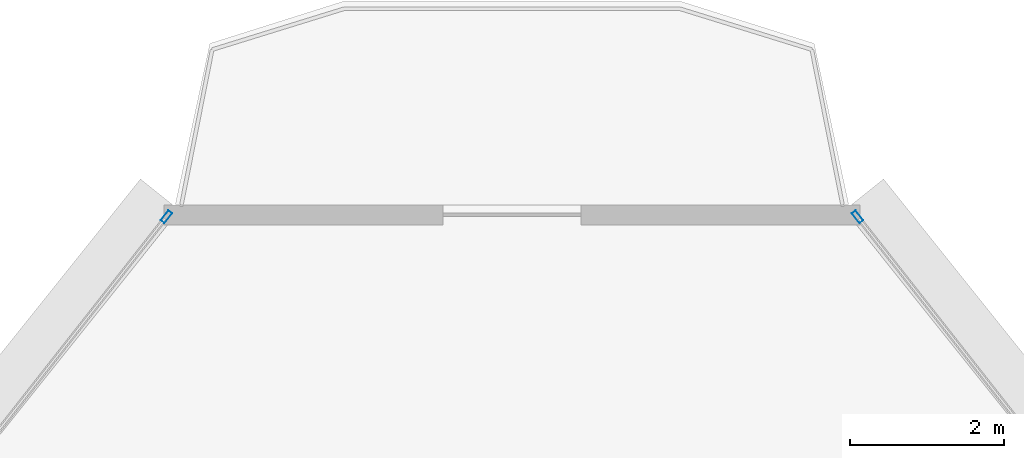
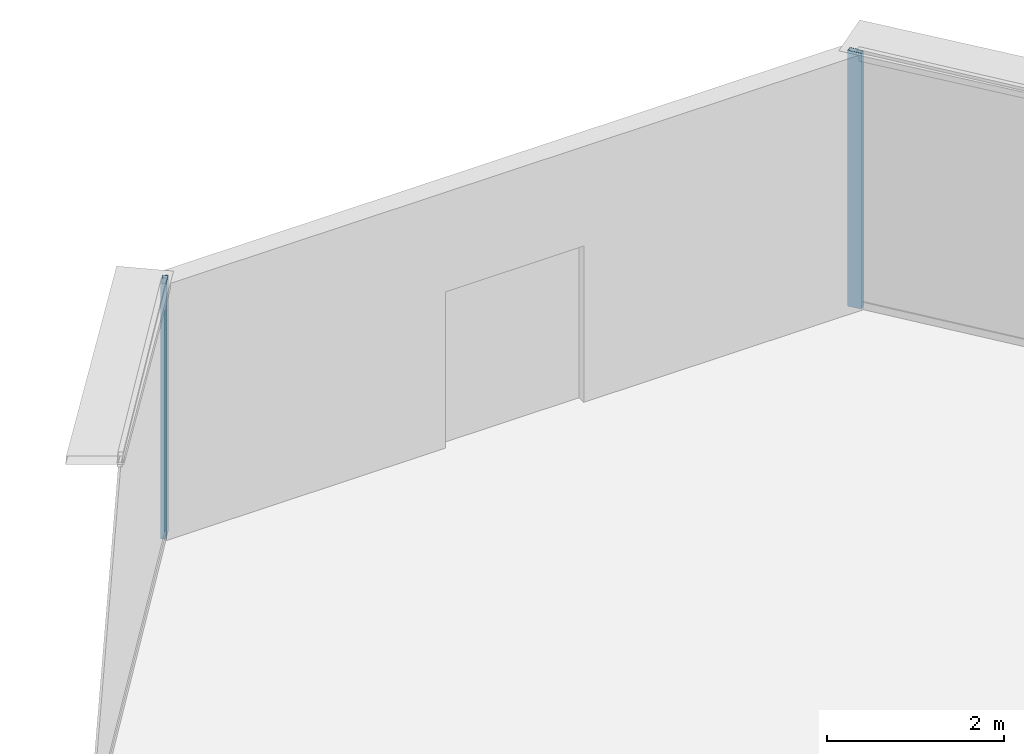
# One storey, part 28 of 41: 2 members, 2 elements without a shape of their own.
"""IFC4 building model written with IfcOpenShell, lengths in metres."""

import ifcopenshell
import ifcopenshell.guid

model = None  # the IFC model being written
_history = None  # IfcOwnerHistory: only IFC2X3 demands one
_inside = {}  # id of a spatial element -> (the spatial element, [elements in it])
_under = {}  # id of a project, library or spatial element -> (it, [spatial elements below it])
_declared = {}  # id of a project -> (the project, [libraries it declares])
_typed = {}  # id of a type object -> (the type object, [elements of that type])
_made_of = {}  # id of a material, layer set ... -> (it, [elements and type objects made of it])


def new_model(schema):
    """Start an empty IFC model of exactly this schema.

    Asked for "IFC4X3", IfcOpenShell would pick the latest addendum, in which some entities
    have other attributes; the version numbers below select the first issue.
    IFC2X3 requires an IfcOwnerHistory on every rooted entity: one is made here for all.
    """
    global model, _history
    if schema == "IFC4X3":
        model = ifcopenshell.file(schema_version=(4, 3, 0, 0))
    else:
        model = ifcopenshell.file(schema=schema)
    _inside.clear()
    _under.clear()
    _declared.clear()
    _typed.clear()
    _made_of.clear()
    _history = None
    if model.schema == "IFC2X3":
        org = make("IfcOrganization", Name="unknown")
        user = make(
            "IfcPersonAndOrganization",
            ThePerson=make("IfcPerson", FamilyName="unknown"),
            TheOrganization=org,
        )
        app = make(
            "IfcApplication",
            ApplicationDeveloper=org,
            Version="unknown",
            ApplicationFullName="unknown",
            ApplicationIdentifier="unknown",
        )
        _history = make(
            "IfcOwnerHistory",
            OwningUser=user,
            OwningApplication=app,
            ChangeAction="ADDED",
            CreationDate=0,
        )
    return model


def make(cls, **values):
    """One entity of the class cls with the attributes given. An attribute that is None is left unset."""
    return model.create_entity(
        cls, **{name: value for name, value in values.items() if value is not None}
    )


def rooted(cls, **values):
    """An entity with a GlobalId (a new one), such as an element, a storey or a relation."""
    return make(cls, GlobalId=ifcopenshell.guid.new(), OwnerHistory=_history, **values)


def si_unit(unit_type, name, prefix=None):
    """IfcSIUnit, for example si_unit("LENGTHUNIT", "METRE", prefix="MILLI")."""
    return make("IfcSIUnit", UnitType=unit_type, Prefix=prefix, Name=name)


def assignment(units):
    """IfcUnitAssignment: the units of a project."""
    return None if units is None else make("IfcUnitAssignment", Units=units)


def point(xyz):
    """IfcCartesianPoint."""
    return None if xyz is None else make("IfcCartesianPoint", Coordinates=xyz)


def direction(xyz):
    """IfcDirection."""
    return None if xyz is None else make("IfcDirection", DirectionRatios=xyz)


def frame(location, z_axis=None, x_axis=None):
    """IfcAxis2Placement3D, a coordinate frame: its origin and axes. An axis left out is left unset."""
    return make(
        "IfcAxis2Placement3D",
        Location=point(location),
        Axis=direction(z_axis),
        RefDirection=direction(x_axis),
    )


def frame_2d(location, x_axis=None):
    """IfcAxis2Placement2D, a coordinate frame in the plane: its origin and x axis."""
    return make(
        "IfcAxis2Placement2D", Location=point(location), RefDirection=direction(x_axis)
    )


def origin():
    """The frame at (0, 0, 0) with its axes left unset."""
    return frame((0.0, 0.0, 0.0))


def origin_2d():
    """The frame at (0, 0) in the plane with its x axis left unset."""
    return frame_2d((0.0, 0.0))


def place(relative_to, where):
    """IfcLocalPlacement: puts the frame where relative to a parent placement (None: the world)."""
    return make(
        "IfcLocalPlacement", PlacementRelTo=relative_to, RelativePlacement=where
    )


def context(
    kind, dimensions, precision=None, world=None, true_north=None, identifier=None
):
    """IfcGeometricRepresentationContext, for example the 3D "Model" context."""
    return make(
        "IfcGeometricRepresentationContext",
        ContextIdentifier=identifier,
        ContextType=kind,
        CoordinateSpaceDimension=dimensions,
        Precision=precision,
        WorldCoordinateSystem=world,
        TrueNorth=true_north,
    )


def subcontext(parent, identifier, kind, view, scale=None):
    """IfcGeometricRepresentationSubContext, for example "Body" below "Model"."""
    return make(
        "IfcGeometricRepresentationSubContext",
        ContextIdentifier=identifier,
        ContextType=kind,
        ParentContext=parent,
        TargetScale=scale,
        TargetView=view,
    )


def project(units=None, contexts=None):
    """IfcProject with its units and contexts."""
    return rooted(
        "IfcProject",
        Name="project",
        RepresentationContexts=contexts,
        UnitsInContext=assignment(units),
    )


def spatial(cls, under=None, at=None, **own):
    """A site, building, storey or space (cls), placed at a placement, below another one or the project."""
    s = rooted(cls, ObjectPlacement=at, **own)
    if under is not None:
        _under.setdefault(under.id(), (under, []))[1].append(s)
    return s


def profile(cls, at=None, kind="AREA", **sizes):
    """A parametric profile (cls). Its sizes go by their IFC names, for example OverallWidth=200.0."""
    return make(cls, ProfileType=kind, Position=at, **sizes)


def hollow_rectangle(**sizes):
    """IfcRectangleHollowProfileDef."""
    return profile("IfcRectangleHollowProfileDef", **sizes)


def extrude(swept, where, along, depth):
    """IfcExtrudedAreaSolid: the profile swept, set in the frame where, extruded along a direction by depth."""
    return make(
        "IfcExtrudedAreaSolid",
        SweptArea=swept,
        Position=where,
        ExtrudedDirection=direction(along),
        Depth=depth,
    )


def shape(context_of_items, identifier, shape_type, items):
    """IfcShapeRepresentation: the items that make up one representation, for example the "Body"."""
    return make(
        "IfcShapeRepresentation",
        ContextOfItems=context_of_items,
        RepresentationIdentifier=identifier,
        RepresentationType=shape_type,
        Items=items,
    )


def source(mapping_origin, context_of_items, identifier, shape_type, items):
    """IfcRepresentationMap: a shape defined once, which mapped items show again and again."""
    return make(
        "IfcRepresentationMap",
        MappingOrigin=mapping_origin,
        MappedRepresentation=shape(context_of_items, identifier, shape_type, items),
    )


def transform(
    local_origin,
    x_axis=None,
    y_axis=None,
    z_axis=None,
    scale=None,
    scale2=None,
    scale3=None,
    uniform=True,
):
    """IfcCartesianTransformationOperator3D, or its non-uniform kind. x_axis, y_axis, z_axis: its Axis1, 2, 3."""
    if uniform:
        return make(
            "IfcCartesianTransformationOperator3D",
            Axis1=direction(x_axis),
            Axis2=direction(y_axis),
            LocalOrigin=point(local_origin),
            Scale=scale,
            Axis3=direction(z_axis),
        )
    return make(
        "IfcCartesianTransformationOperator3DnonUniform",
        Axis1=direction(x_axis),
        Axis2=direction(y_axis),
        LocalOrigin=point(local_origin),
        Scale=scale,
        Axis3=direction(z_axis),
        Scale2=scale2,
        Scale3=scale3,
    )


def mapped(mapping_source, mapping_target):
    """IfcMappedItem: shows the shape of a source again, moved by a transform."""
    return make(
        "IfcMappedItem", MappingSource=mapping_source, MappingTarget=mapping_target
    )


def material(Name=None, Category=None):
    """IfcMaterial."""
    return make("IfcMaterial", Name=Name, Category=Category)


def layer(
    of_material, thickness, ventilated=None, Name=None, Category=None, Priority=None
):
    """IfcMaterialLayer: one layer of a wall or slab, of a material (None: an air gap)."""
    return make(
        "IfcMaterialLayer",
        Material=of_material,
        LayerThickness=thickness,
        IsVentilated=ventilated,
        Name=Name,
        Category=Category,
        Priority=Priority,
    )


def layer_set(layers, Name=None):
    """IfcMaterialLayerSet."""
    return make("IfcMaterialLayerSet", MaterialLayers=layers, LayerSetName=Name)


def material_profile(
    of_material, cross_section, Name=None, Category=None, Priority=None
):
    """IfcMaterialProfile: a cross section and its material."""
    return make(
        "IfcMaterialProfile",
        Name=Name,
        Material=of_material,
        Profile=cross_section,
        Priority=Priority,
        Category=Category,
    )


def profile_set(profiles, Name=None, composite=None):
    """IfcMaterialProfileSet."""
    return make(
        "IfcMaterialProfileSet",
        Name=Name,
        MaterialProfiles=profiles,
        CompositeProfile=composite,
    )


def made_of(thing, what):
    """Note that an element or type object is made of a material, layer set ...; save() writes the relation."""
    if what is not None:
        _made_of.setdefault(what.id(), (what, []))[1].append(thing)
    return thing


def type_object(cls, material=None, **own):
    """A type object (cls), such as IfcWallType, which elements share."""
    return made_of(rooted(cls, **own), material)


def element(
    cls,
    number,
    at=None,
    inside=None,
    cuts=None,
    type_object=None,
    material=None,
    context=None,
    identifier="Body",
    shape_type=None,
    held_by="IfcProductDefinitionShape",
    body=None,
    shapes=None,
    **own,
):
    """One element of the class cls, such as IfcWall. Its Tag is "e" and its number.

    at: its placement. inside: the storey or other place that contains it. cuts: it is an
    opening in that element (IfcRelVoidsElement). A single representation is given by context,
    identifier, shape_type and body (its items); several are given by shapes. held_by: the class
    of the entity that holds the representations. save() writes the other relations.
    """
    e = rooted(cls, Tag="e%d" % number, ObjectPlacement=at, **own)
    if body is not None:
        shapes = [shape(context, identifier, shape_type, body)]
    if shapes is not None:
        e.Representation = make(held_by, Representations=shapes)
    if inside is not None:
        _inside.setdefault(inside.id(), (inside, []))[1].append(e)
    if cuts is not None:
        rooted(
            "IfcRelVoidsElement", RelatingBuildingElement=cuts, RelatedOpeningElement=e
        )
    if type_object is not None:
        _typed.setdefault(type_object.id(), (type_object, []))[1].append(e)
    return made_of(e, material)


def aggregate(whole, parts):
    """IfcRelAggregates: a whole, such as a stair, and the parts it consists of."""
    return rooted("IfcRelAggregates", RelatingObject=whole, RelatedObjects=parts)


def save(model, path):
    """Write the relations noted so far, then the file.

    IfcRelAggregates (storeys below a building ...), IfcRelContainedInSpatialStructure (elements
    in a storey), IfcRelDefinesByType, IfcRelAssociatesMaterial and IfcRelDeclares: one each for
    every whole, place, type object, material and project.
    """
    for whole, parts in _under.values():
        aggregate(whole, parts)
    for where, things in _inside.values():
        rooted(
            "IfcRelContainedInSpatialStructure",
            RelatedElements=things,
            RelatingStructure=where,
        )
    for kind, things in _typed.values():
        rooted("IfcRelDefinesByType", RelatedObjects=things, RelatingType=kind)
    for what, things in _made_of.values():
        rooted("IfcRelAssociatesMaterial", RelatedObjects=things, RelatingMaterial=what)
    for by, libraries in _declared.values():
        rooted("IfcRelDeclares", RelatingContext=by, RelatedDefinitions=libraries)
    model.write(path)


model = new_model("IFC4")

# Units and contexts
model_context = context("Model", 3, precision=1e-05, world=origin(), true_north=direction((0.0, 1.0)))
body_context = subcontext(model_context, "Body", "Model", "MODEL_VIEW")
ifc_project = project(units=[si_unit("LENGTHUNIT", "METRE"), si_unit("AREAUNIT", "SQUARE_METRE"), si_unit("VOLUMEUNIT", "CUBIC_METRE"), si_unit("PLANEANGLEUNIT", "RADIAN"), si_unit("MASSUNIT", "GRAM", prefix="KILO"), si_unit("THERMODYNAMICTEMPERATUREUNIT", "KELVIN"), si_unit("POWERUNIT", "WATT")], contexts=[model_context])

# Site, building, storey
site_placement = place(None, origin())
site = spatial("IfcSite", under=ifc_project, at=site_placement, CompositionType="ELEMENT")
building_placement = place(site_placement, origin())
building = spatial("IfcBuilding", under=site, at=building_placement, Name="Yunzhuo Pagoda Commons", CompositionType="ELEMENT")
storey_placement = place(building_placement, frame((0.0, 0.0, 115.3798828125)))
storey = spatial("IfcBuildingStorey", under=building, at=storey_placement, Name="L29", CompositionType="ELEMENT", Elevation=115.3798828125)

# Curtain wall, member
ifc_material = material(Name="Anodized aluminium 6063-T6", Category="aluminium")
ifc_layer = layer(ifc_material, 0.1650390625)
ifc_layer_set = layer_set([ifc_layer], Name="Anodized aluminium 6063-T6")
curtain_wall_type = type_object("IfcCurtainWallType", Name="CW-LOW Low-Zone Ribbon Curtain Wall", PredefinedType="NOTDEFINED", material=ifc_layer_set)
curtain_wall_1_placement = place(storey_placement, origin())
curtain_wall_1 = element("IfcCurtainWall", 1, at=curtain_wall_1_placement, inside=storey, type_object=curtain_wall_type, Name="L29 curtain wall CW-L29-F2B5", PredefinedType="NOTDEFINED")
ifc_material_profile = material_profile(ifc_material, hollow_rectangle(XDim=0.06494140625, YDim=0.1650390625, WallThickness=0.00390625, at=origin_2d()), Name="Anodized aluminium 6063-T6")
ifc_profile_set = profile_set([ifc_material_profile], Name="Anodized aluminium 6063-T6")
member_type = type_object("IfcMemberType", Name="CW-LOW-M Mullion RHS 165x65x4", PredefinedType="MULLION", material=ifc_profile_set)
shared_shape = source(origin(), body_context, "Body", "SweptSolid", [
    extrude(hollow_rectangle(XDim=0.06494140625, YDim=0.1650390625, WallThickness=0.00390625, at=origin_2d()), origin(), (0.0, 0.0, 1.0), 3.52001953125),
])
member_1_placement = place(storey_placement, frame((52.496826171875, 86.04833984375, 0.0), z_axis=(0.0, 0.0, 1.0), x_axis=(-0.786392055703, -0.617727718925, 0.0)))
member_1 = element("IfcMember", 2, at=member_1_placement, type_object=member_type, Name="CW mullion 2", PredefinedType="MULLION", context=body_context, shape_type="MappedRepresentation", body=[
    mapped(shared_shape, transform((0.0, 0.0, 0.0), scale=1.0)),
])
aggregate(curtain_wall_1, [member_1])

curtain_wall_2_placement = place(storey_placement, origin())
curtain_wall_2 = element("IfcCurtainWall", 3, at=curtain_wall_2_placement, inside=storey, type_object=curtain_wall_type, Name="L29 curtain wall CW-L29-F3B1", PredefinedType="NOTDEFINED")
member_2_placement = place(storey_placement, frame((43.503173828125, 86.04833984375, 0.0), z_axis=(0.0, 0.0, 1.0), x_axis=(0.786392055703, -0.617727718925, 0.0)))
member_2 = element("IfcMember", 4, at=member_2_placement, type_object=member_type, Name="CW mullion 1", PredefinedType="MULLION", context=body_context, shape_type="MappedRepresentation", body=[
    mapped(shared_shape, transform((0.0, 0.0, 0.0), scale=1.0)),
])
aggregate(curtain_wall_2, [member_2])

save(model, "model.ifc")
